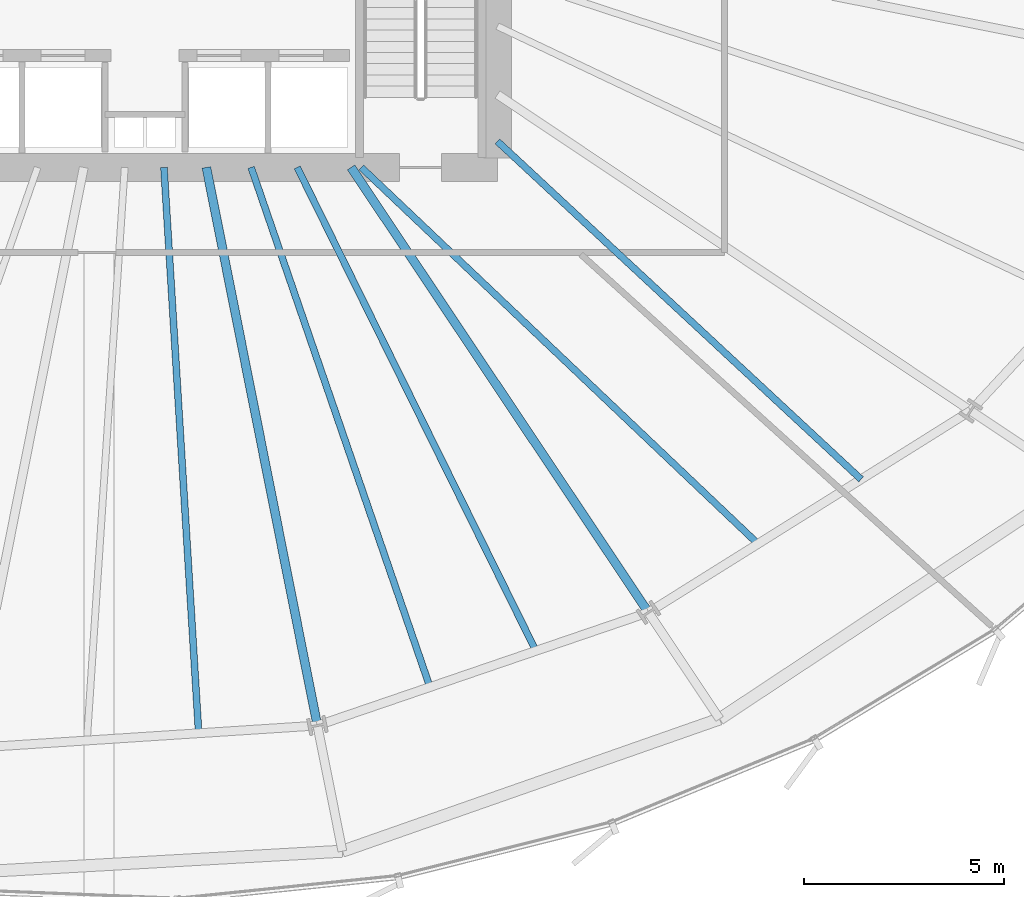
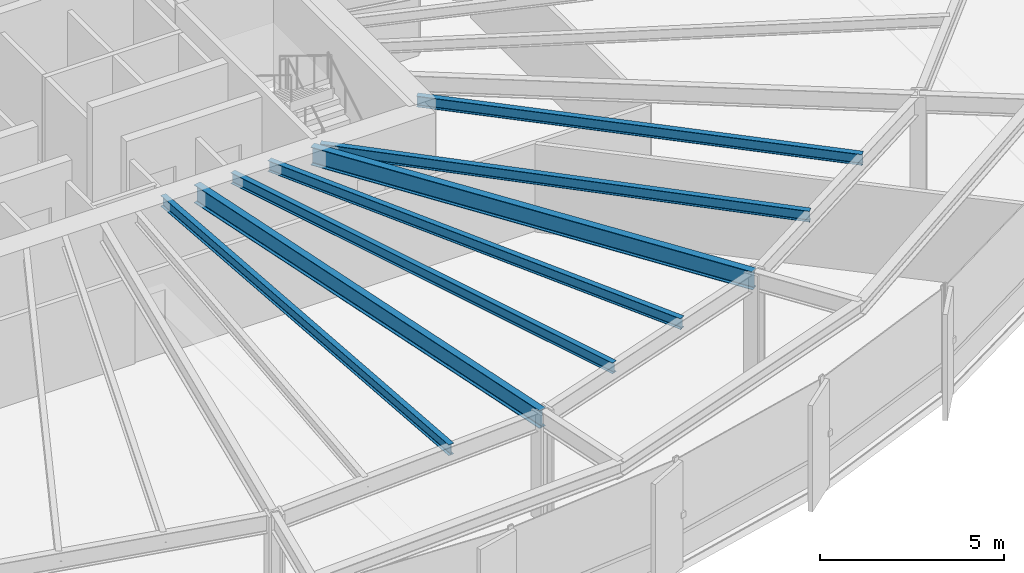
# One storey, part 13 of 42: 7 beams.
"""IFC4 building model written with IfcOpenShell, lengths in metres."""

from ifc_helpers import new_model, si_unit, direction, frame, origin, origin_2d, place, context, subcontext, project, spatial, i_section, extrude, source, transform, mapped, material, material_profile, profile_set, type_object, element, save


model = new_model("IFC4")

# Units and contexts
model_context = context("Model", 3, precision=1e-05, world=origin(), true_north=direction((0.0, 1.0)))
body_context = subcontext(model_context, "Body", "Model", "MODEL_VIEW")
ifc_project = project(units=[si_unit("LENGTHUNIT", "METRE"), si_unit("AREAUNIT", "SQUARE_METRE"), si_unit("VOLUMEUNIT", "CUBIC_METRE"), si_unit("PLANEANGLEUNIT", "RADIAN"), si_unit("MASSUNIT", "GRAM", prefix="KILO"), si_unit("THERMODYNAMICTEMPERATUREUNIT", "KELVIN")], contexts=[model_context])

# Site, building, storey
site_placement = place(None, origin())
site = spatial("IfcSite", under=ifc_project, at=site_placement, CompositionType="ELEMENT")
building_placement = place(site_placement, origin())
building = spatial("IfcBuilding", under=site, at=building_placement, Name="Kethvar Cultural Tower", CompositionType="ELEMENT")
storey_placement = place(building_placement, frame((0.0, 0.0, 37.199951171875)))
storey = spatial("IfcBuildingStorey", under=building, at=storey_placement, Name="L08", CompositionType="ELEMENT", Elevation=37.199951171875)

# Beams
ifc_material = material(Name="Steel S355J2", Category="steel")
ifc_material_profile_1 = material_profile(ifc_material, i_section(OverallWidth=0.219970703125, OverallDepth=0.60009765625, WebThickness=0.011962890625, FlangeThickness=0.01904296875, FilletRadius=0.02392578125, at=origin_2d()), Name="Steel S355J2 — IPE600")
ifc_profile_set_1 = profile_set([ifc_material_profile_1], Name="Steel S355J2 — IPE600")
beam_type_1 = type_object("IfcBeamType", Name="BM-IPE600", PredefinedType="BEAM", material=ifc_profile_set_1)
shared_shape_1 = source(origin(), body_context, "Body", "SweptSolid", [
    extrude(i_section(OverallWidth=0.219970703125, OverallDepth=0.60009765625, WebThickness=0.011962890625, FlangeThickness=0.01904296875, FilletRadius=0.02392578125, at=origin_2d()), origin(), (0.0, 0.0, 1.0), 14.210693359375),
])
beam_1_placement = place(storey_placement, frame((48.33154296875, 20.10009765625, 3.248046875), z_axis=(0.195098432651, -0.980783667063, 0.0), x_axis=(0.980783667063, 0.195098432651, 0.0)))
element("IfcBeam", 1, at=beam_1_placement, inside=storey, type_object=beam_type_1, Name="L08 Primary Radial Beam RB-13", PredefinedType="BEAM", context=body_context, shape_type="MappedRepresentation", body=[
    mapped(shared_shape_1, transform((0.0, 0.0, 0.0), scale=1.0)),
])
shared_shape_2 = source(origin(), body_context, "Body", "SweptSolid", [
    extrude(i_section(OverallWidth=0.219970703125, OverallDepth=0.60009765625, WebThickness=0.011962890625, FlangeThickness=0.01904296875, FilletRadius=0.02392578125, at=origin_2d()), origin(), (0.0, 0.0, 1.0), 13.365478515625),
])
beam_2_placement = place(storey_placement, frame((51.945068359375, 20.10009765625, 3.248046875), z_axis=(0.555559834465, -0.831476560301, 0.0), x_axis=(0.831476560301, 0.555559834465, 0.0)))
element("IfcBeam", 2, at=beam_2_placement, inside=storey, type_object=beam_type_1, Name="L08 Primary Radial Beam RB-14", PredefinedType="BEAM", context=body_context, shape_type="MappedRepresentation", body=[
    mapped(shared_shape_2, transform((0.0, 0.0, 0.0), scale=1.0)),
])
ifc_material_profile_2 = material_profile(ifc_material, i_section(OverallWidth=0.169921875, OverallDepth=0.360107421875, WebThickness=0.008056640625, FlangeThickness=0.0126953125, FilletRadius=0.01806640625, at=origin_2d()), Name="Steel S355J2 — IPE360")
ifc_profile_set_2 = profile_set([ifc_material_profile_2], Name="Steel S355J2 — IPE360")
beam_type_2 = type_object("IfcBeamType", Name="BM-J360", PredefinedType="JOIST", material=ifc_profile_set_2)
shared_shape_3 = source(origin(), body_context, "Body", "SweptSolid", [
    extrude(i_section(OverallWidth=0.169921875, OverallDepth=0.360107421875, WebThickness=0.008056640625, FlangeThickness=0.0126953125, FilletRadius=0.01806640625, at=origin_2d()), origin(), (0.0, 0.0, 1.0), 14.156494140625),
])
beam_3_placement = place(storey_placement, frame((47.272216796875, 20.10009765625, 3.3681640625), z_axis=(0.06122296991, -0.998124114505, 0.0), x_axis=(0.998124114505, 0.06122296991, 0.0)))
element("IfcBeam", 3, at=beam_3_placement, inside=storey, type_object=beam_type_2, Name="L08 Composite Floor Joist J-12B", PredefinedType="JOIST", context=body_context, shape_type="MappedRepresentation", body=[
    mapped(shared_shape_3, transform((0.0, 0.0, 0.0), scale=1.0)),
])
shared_shape_4 = source(origin(), body_context, "Body", "SweptSolid", [
    extrude(i_section(OverallWidth=0.169921875, OverallDepth=0.360107421875, WebThickness=0.008056640625, FlangeThickness=0.0126953125, FilletRadius=0.01806640625, at=origin_2d()), origin(), (0.0, 0.0, 1.0), 13.7236328125),
])
beam_4_placement = place(storey_placement, frame((49.449462890625, 20.10009765625, 3.3681640625), z_axis=(0.325355191569, -0.945591877778, 0.0), x_axis=(0.945591877778, 0.325355191569, 0.0)))
element("IfcBeam", 4, at=beam_4_placement, inside=storey, type_object=beam_type_2, Name="L08 Composite Floor Joist J-13A", PredefinedType="JOIST", context=body_context, shape_type="MappedRepresentation", body=[
    mapped(shared_shape_4, transform((0.0, 0.0, 0.0), scale=1.0)),
])
shared_shape_5 = source(origin(), body_context, "Body", "SweptSolid", [
    extrude(i_section(OverallWidth=0.169921875, OverallDepth=0.360107421875, WebThickness=0.008056640625, FlangeThickness=0.0126953125, FilletRadius=0.01806640625, at=origin_2d()), origin(), (0.0, 0.0, 1.0), 13.4638671875),
])
beam_5_placement = place(storey_placement, frame((50.6005859375, 20.10009765625, 3.3681640625), z_axis=(0.442609148219, -0.89671463795, 0.0), x_axis=(0.89671463795, 0.442609148219, 0.0)))
element("IfcBeam", 5, at=beam_5_placement, inside=storey, type_object=beam_type_2, Name="L08 Composite Floor Joist J-13B", PredefinedType="JOIST", context=body_context, shape_type="MappedRepresentation", body=[
    mapped(shared_shape_5, transform((0.0, 0.0, 0.0), scale=1.0)),
])
shared_shape_6 = source(origin(), body_context, "Body", "SweptSolid", [
    extrude(i_section(OverallWidth=0.169921875, OverallDepth=0.360107421875, WebThickness=0.008056640625, FlangeThickness=0.0126953125, FilletRadius=0.01806640625, at=origin_2d()), origin(), (0.0, 0.0, 1.0), 13.656982421875),
])
beam_6_placement = place(storey_placement, frame((52.199951171875, 20.10009765625, 3.3681640625), z_axis=(0.725392974221, -0.688334971472, 0.0), x_axis=(0.688334971472, 0.725392974221, 0.0)))
element("IfcBeam", 6, at=beam_6_placement, inside=storey, type_object=beam_type_2, Name="L08 Composite Floor Joist J-14A", PredefinedType="JOIST", context=body_context, shape_type="MappedRepresentation", body=[
    mapped(shared_shape_6, transform((0.0, 0.0, 0.0), scale=1.0)),
])
shared_shape_7 = source(origin(), body_context, "Body", "SweptSolid", [
    extrude(i_section(OverallWidth=0.169921875, OverallDepth=0.360107421875, WebThickness=0.008056640625, FlangeThickness=0.0126953125, FilletRadius=0.01806640625, at=origin_2d()), origin(), (0.0, 0.0, 1.0), 12.3974609375),
])
beam_7_placement = place(storey_placement, frame((55.60009765625, 20.75, 3.3681640625), z_axis=(0.732566203092, -0.68069578968, 0.0), x_axis=(0.68069578968, 0.732566203092, 0.0)))
element("IfcBeam", 7, at=beam_7_placement, inside=storey, type_object=beam_type_2, Name="L08 Composite Floor Joist J-14B", PredefinedType="JOIST", context=body_context, shape_type="MappedRepresentation", body=[
    mapped(shared_shape_7, transform((0.0, 0.0, 0.0), scale=1.0)),
])

save(model, "model.ifc")
